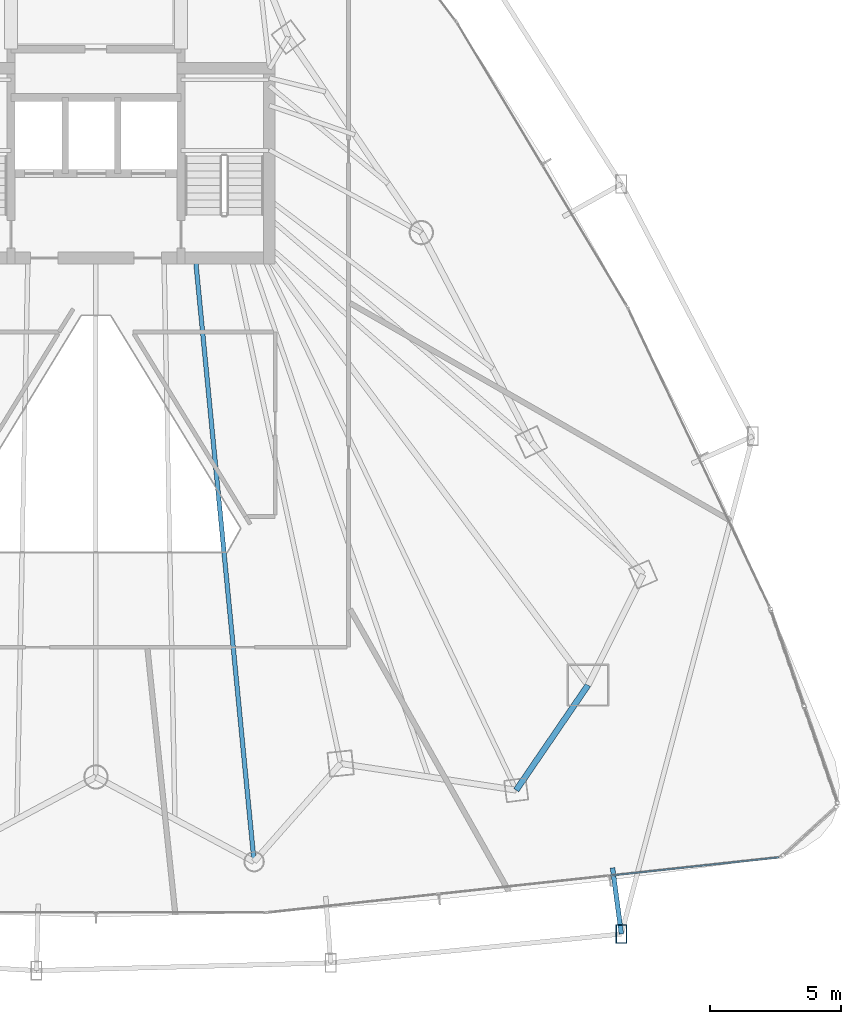
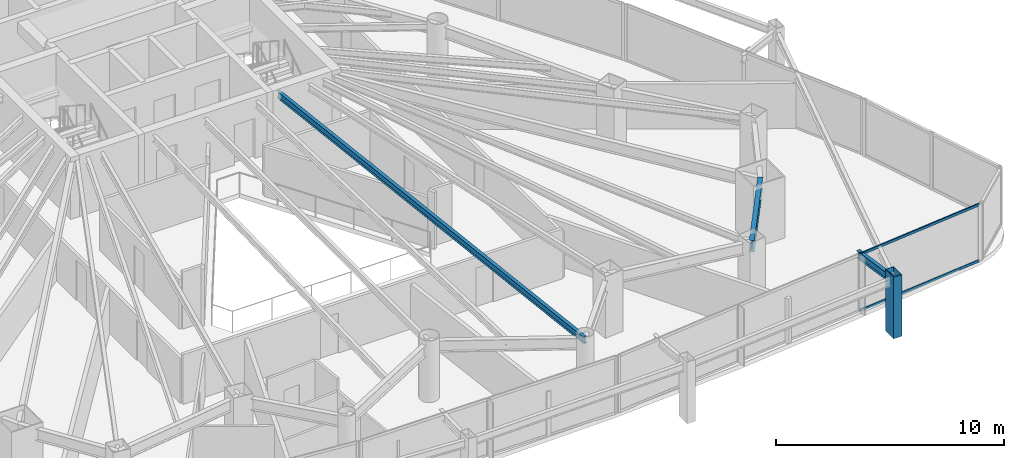
# One storey, part 15 of 37: 3 beams, 3 members, 1 element without a shape of its own.
"""IFC4 building model written with IfcOpenShell, lengths in metres."""

from ifc_helpers import new_model, si_unit, direction, frame, origin, origin_2d, place, context, subcontext, project, spatial, hollow_rectangle, i_section, extrude, material, layer, layer_set, material_profile, profile_set, type_object, element, aggregate, save


model = new_model("IFC4")

# Units and contexts
model_context = context("Model", 3, precision=1e-05, world=origin(), true_north=direction((0.0, 1.0)))
body_context = subcontext(model_context, "Body", "Model", "MODEL_VIEW")
ifc_project = project(units=[si_unit("LENGTHUNIT", "METRE"), si_unit("AREAUNIT", "SQUARE_METRE"), si_unit("VOLUMEUNIT", "CUBIC_METRE"), si_unit("PLANEANGLEUNIT", "RADIAN"), si_unit("MASSUNIT", "GRAM", prefix="KILO")], contexts=[model_context])

# Site, building, storey
site_placement = place(None, origin())
site = spatial("IfcSite", under=ifc_project, at=site_placement, CompositionType="ELEMENT")
building_placement = place(site_placement, origin())
building = spatial("IfcBuilding", under=site, at=building_placement, Name="Orvanel Arch Residences", CompositionType="ELEMENT")
storey_placement = place(building_placement, frame((0.0, 0.0, 53.300048828125)))
storey = spatial("IfcBuildingStorey", under=building, at=storey_placement, Name="L14", CompositionType="ELEMENT", Elevation=53.300048828125)

# Beam
ifc_material_1 = material(Name="Structural steel AS/NZS 3679.1 Grade 300 (300 MPa)", Category="steel")
ifc_material_profile_1 = material_profile(ifc_material_1, i_section(OverallWidth=0.1708984375, OverallDepth=0.35595703125, WebThickness=0.00732421875, FlangeThickness=0.011474609375, at=origin_2d()), Name="360UB50.7")
ifc_profile_set_1 = profile_set([ifc_material_profile_1], Name="Structural steel AS/NZS 3679.1 Grade 300 (300 MPa)")
beam_type_1 = type_object("IfcBeamType", Name="BJ-360UB", PredefinedType="JOIST", material=ifc_profile_set_1)
beam_1_placement = place(storey_placement, frame((36.800048828125, 26.675048828125, 2.8818359375), z_axis=(0.096724091756, -0.995311232768, 0.0), x_axis=(0.995311232768, 0.096724091756, 0.0)))
element("IfcBeam", 1, at=beam_1_placement, inside=storey, type_object=beam_type_1, Name="L14 LSE Wing Floor Joist", PredefinedType="JOIST", context=body_context, shape_type="SweptSolid", body=[
    extrude(i_section(OverallWidth=0.1708984375, OverallDepth=0.35595703125, WebThickness=0.00732421875, FlangeThickness=0.011474609375, at=origin_2d()), origin(), (0.0, 0.0, 1.0), 23.1787109375),
])

# Member
ifc_material_2 = material(Name="Structural steel AS/NZS 3678 Grade 350", Category="steel")
ifc_material_profile_2 = material_profile(ifc_material_2, hollow_rectangle(XDim=0.419921875, YDim=0.719970703125, WallThickness=0.02490234375, at=origin_2d()), Name="RHS720x420x25")
ifc_profile_set_2 = profile_set([ifc_material_profile_2], Name="Structural steel AS/NZS 3678 Grade 350")
member_type_1 = type_object("IfcMemberType", Name="CH-720RHS-EXT", PredefinedType="CHORD", material=ifc_profile_set_2)
member_1_placement = place(storey_placement, frame((53.076904296875, 0.843017578125, 0.0), z_axis=(0.0, 0.0, 1.0), x_axis=(1.0, 0.0, 0.0)))
element("IfcMember", 2, at=member_1_placement, inside=storey, type_object=member_type_1, Name="L14 Outer Perimeter Frame Post 08", PredefinedType="CHORD", context=body_context, shape_type="SweptSolid", body=[
    extrude(hollow_rectangle(XDim=0.419921875, YDim=0.719970703125, WallThickness=0.02490234375, at=origin_2d()), origin(), (0.0, 0.0, 1.0), 3.300048828125),
])

# Beams
ifc_material_profile_3 = material_profile(ifc_material_1, i_section(OverallWidth=0.177978515625, OverallDepth=0.406005859375, WebThickness=0.0078125, FlangeThickness=0.0126953125, at=origin_2d()), Name="410UB59.7")
ifc_profile_set_3 = profile_set([ifc_material_profile_3], Name="Structural steel AS/NZS 3679.1 Grade 300 (300 MPa)")
beam_type_2 = type_object("IfcBeamType", Name="OB-410UB-EXT", PredefinedType="SPANDREL", material=ifc_profile_set_3)
beam_2_placement = place(storey_placement, frame((52.738037109375, 3.3701171875, 2.85693359375), z_axis=(0.132903775125, -0.991128945475, 0.0), x_axis=(0.991128945475, 0.132903775125, 0.0)))
element("IfcBeam", 3, at=beam_2_placement, inside=storey, type_object=beam_type_2, Name="L14 Outer Frame Radial Tie Beam 08", PredefinedType="SPANDREL", context=body_context, shape_type="SweptSolid", body=[
    extrude(i_section(OverallWidth=0.177978515625, OverallDepth=0.406005859375, WebThickness=0.0078125, FlangeThickness=0.0126953125, at=origin_2d()), origin(), (0.0, 0.0, 1.0), 2.5498046875),
])
ifc_material_profile_4 = material_profile(ifc_material_1, i_section(OverallWidth=0.22900390625, OverallDepth=0.612060546875, WebThickness=0.011962890625, FlangeThickness=0.01953125, at=origin_2d()), Name="610UB125")
ifc_profile_set_4 = profile_set([ifc_material_profile_4], Name="Structural steel AS/NZS 3679.1 Grade 300 (300 MPa)")
beam_type_3 = type_object("IfcBeamType", Name="SP-610UB", PredefinedType="SPANDREL", material=ifc_profile_set_4)
beam_3_placement = place(storey_placement, frame((49.05908203125, 6.339111328125, 2.75390625), z_axis=(0.564251579852, 0.825602903722, 0.0), x_axis=(-0.825602903722, 0.564251579852, 0.0)))
element("IfcBeam", 4, at=beam_3_placement, inside=storey, type_object=beam_type_3, Name="L14 Perimeter Spandrel Beam 10", PredefinedType="SPANDREL", context=body_context, shape_type="SweptSolid", body=[
    extrude(i_section(OverallWidth=0.22900390625, OverallDepth=0.612060546875, WebThickness=0.011962890625, FlangeThickness=0.01953125, at=origin_2d()), origin(), (0.0, 0.0, 1.0), 4.859375),
])

# Curtain wall, members
ifc_material_3 = material(Name="Bronze-anodised aluminium AA6063-T6", Category="aluminium")
ifc_layer = layer(ifc_material_3, 0.179931640625)
ifc_layer_set = layer_set([ifc_layer], Name="Bronze-anodised aluminium AA6063-T6")
curtain_wall_type = type_object("IfcCurtainWallType", Name="CW2-LOW-SYS", PredefinedType="NOTDEFINED", material=ifc_layer_set)
curtain_wall_placement = place(storey_placement, origin())
curtain_wall = element("IfcCurtainWall", 5, at=curtain_wall_placement, inside=storey, type_object=curtain_wall_type, Name="L14 CW2-LOW-SYS Unitised Curtain Wall", PredefinedType="NOTDEFINED")
ifc_material_profile_5 = material_profile(ifc_material_3, hollow_rectangle(XDim=0.06005859375, YDim=0.135009765625, WallThickness=0.00390625, at=origin_2d()), Name="ALU135x60x4")
ifc_profile_set_5 = profile_set([ifc_material_profile_5], Name="Bronze-anodised aluminium AA6063-T6")
member_type_2 = type_object("IfcMemberType", Name="TRN-135x60", PredefinedType="USERDEFINED", material=ifc_profile_set_5)
member_2_placement = place(storey_placement, frame((52.663818359375, 3.076416015625, 0.030029296875), z_axis=(0.994219801336, 0.107363805037, 0.0), x_axis=(-0.107363805037, 0.994219801336, 0.0)))
member_2 = element("IfcMember", 6, at=member_2_placement, type_object=member_type_2, Name="CW-S2 transom 3.1", ObjectType="TRANSOM", PredefinedType="USERDEFINED", context=body_context, shape_type="SweptSolid", body=[
    extrude(hollow_rectangle(XDim=0.06005859375, YDim=0.135009765625, WallThickness=0.00390625, at=origin_2d()), origin(), (0.0, 0.0, 1.0), 6.46484375),
])
member_3_placement = place(storey_placement, frame((52.663818359375, 3.076416015625, 3.030029296875), z_axis=(0.994219801336, 0.107363805037, 0.0), x_axis=(-0.107363805037, 0.994219801336, 0.0)))
member_3 = element("IfcMember", 7, at=member_3_placement, type_object=member_type_2, Name="CW-S2 transom 3.2", ObjectType="TRANSOM", PredefinedType="USERDEFINED", context=body_context, shape_type="SweptSolid", body=[
    extrude(hollow_rectangle(XDim=0.06005859375, YDim=0.135009765625, WallThickness=0.00390625, at=origin_2d()), origin(), (0.0, 0.0, 1.0), 6.46484375),
])
aggregate(curtain_wall, [member_2, member_3])

save(model, "model.ifc")
